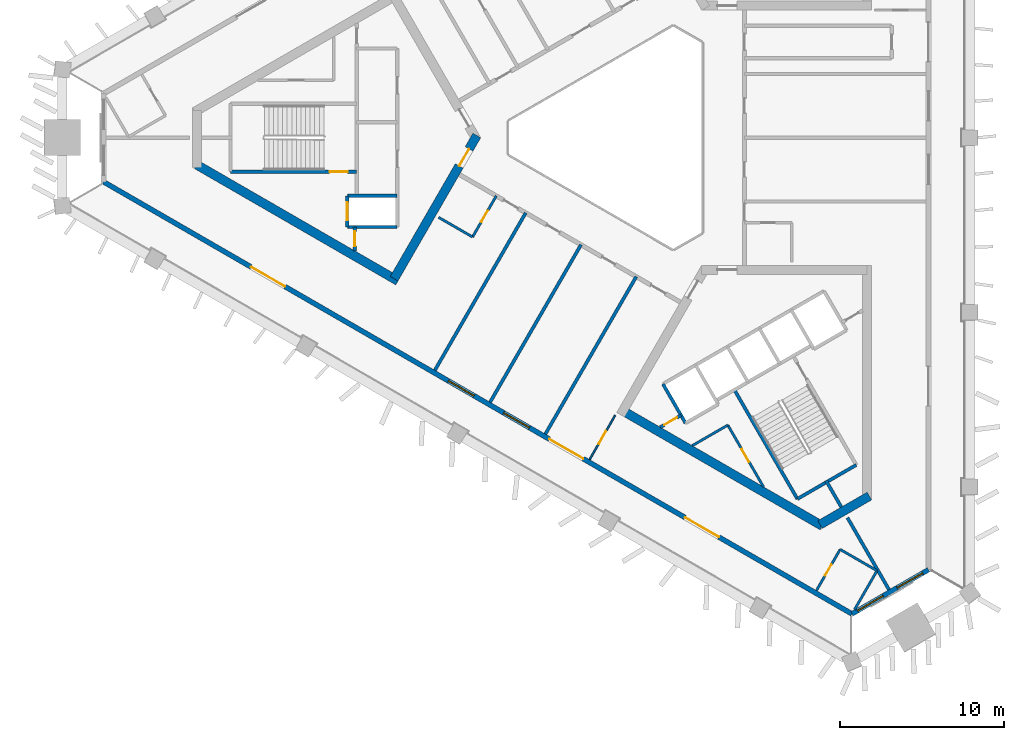
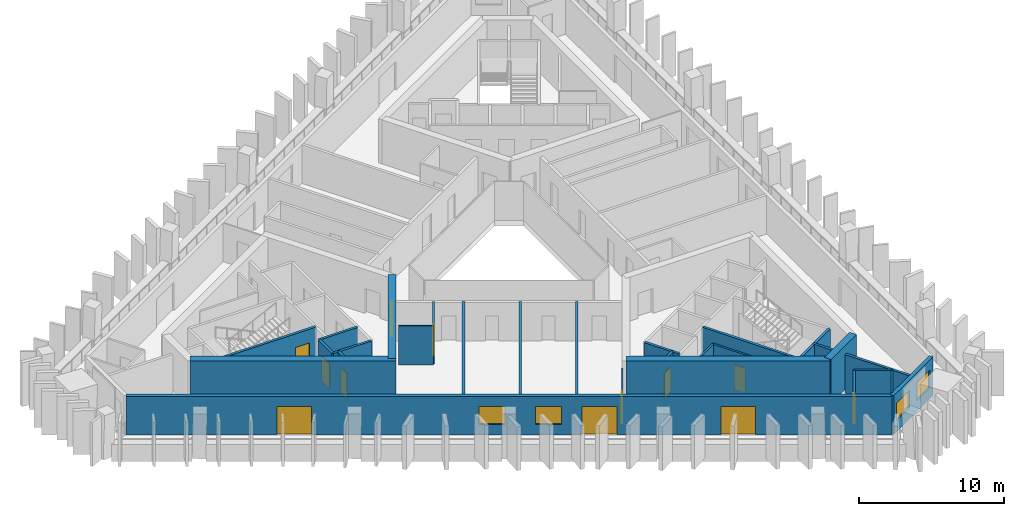
# One storey, part 2 of 9: 28 walls, 12 doors, 4 windows, 16 openings.
"""IFC4 building model written with IfcOpenShell, lengths in metres."""

from ifc_helpers import new_model, si_unit, direction, frame, frame_2d, origin, place, context, subcontext, project, spatial, rectangle, extrude, material, layer, layer_set, type_object, element, fill, save


model = new_model("IFC4")

# Units and contexts
model_context = context("Model", 3, precision=1e-05, world=origin(), true_north=direction((0.0, 1.0)))
body_context = subcontext(model_context, "Body", "Model", "MODEL_VIEW")
ifc_project = project(units=[si_unit("LENGTHUNIT", "METRE"), si_unit("AREAUNIT", "SQUARE_METRE"), si_unit("VOLUMEUNIT", "CUBIC_METRE"), si_unit("PLANEANGLEUNIT", "RADIAN"), si_unit("MASSUNIT", "GRAM", prefix="KILO")], contexts=[model_context])

# Site, building, storey
site_placement = place(None, origin())
site = spatial("IfcSite", under=ifc_project, at=site_placement, CompositionType="ELEMENT")
building_placement = place(site_placement, origin())
building = spatial("IfcBuilding", under=site, at=building_placement, Name="Jabali Bay Hotel Tower and Convention Centre", CompositionType="ELEMENT")
storey_placement = place(building_placement, frame((0.0, 0.0, 185.89990234375)))
storey = spatial("IfcBuildingStorey", under=building, at=storey_placement, Name="L45", CompositionType="ELEMENT", Elevation=185.89990234375)

# Wall, opening, door
ifc_material_1 = material(Name="Concrete C40", Category="concrete")
ifc_layer_1 = layer(ifc_material_1, 0.199951171875)
ifc_layer_set_1 = layer_set([ifc_layer_1], Name="Concrete C40")
wall_type_1 = type_object("IfcWallType", Name="Core partition wall 200", PredefinedType="PARTITIONING", material=ifc_layer_set_1)
wall_1_placement = place(storey_placement, frame((58.300048828125, 74.550048828125, 0.0), z_axis=(0.0, 0.0, 1.0), x_axis=(0.0, -1.0, 0.0)))
wall_1 = element("IfcWall", 1, at=wall_1_placement, inside=storey, type_object=wall_type_1, Name="Core wall 0.10 L45", PredefinedType="PARTITIONING", context=body_context, shape_type="SweptSolid", body=[
    extrude(rectangle(XDim=1.455078125, YDim=0.199951171875, at=frame_2d((0.7275390625, 0.0))), origin(), (0.0, 0.0, 1.0), 3.25),
])
opening_1_placement = place(wall_1_placement, frame((0.277587890625, 0.0, 0.0)))
opening_1 = element("IfcOpeningElement", 2, at=opening_1_placement, cuts=wall_1, Name="Opening D972", PredefinedType="OPENING", context=body_context, shape_type="SweptSolid", body=[
    extrude(rectangle(XDim=0.89990234375, YDim=2.10009765625, at=frame_2d((0.449951171875, 1.050048828125))), frame((0.0, 0.1103515625, 0.0), z_axis=(0.0, -1.0, 0.0), x_axis=(1.0, 0.0, 0.0)), (0.0, 0.0, 1.0), 0.220947265625),
])
ifc_material_2 = material(Name="Fire-rated steel door", Category="steel")
door_type_1 = type_object("IfcDoorType", Name="Vestibule fire door 900 x 2100", OperationType="NOTDEFINED", PredefinedType="NOTDEFINED", material=ifc_material_2)
door_1_placement = place(opening_1_placement, origin())
door_1 = element("IfcDoor", 3, at=door_1_placement, inside=storey, type_object=door_type_1, Name="Vestibule fire door D972", OperationType="SINGLE_SWING_LEFT", OverallHeight=2.10009765625, OverallWidth=0.89990234375, PredefinedType="NOTDEFINED", context=body_context, shape_type="SweptSolid", body=[
    extrude(rectangle(XDim=0.89990234375, YDim=2.10009765625, at=frame_2d((0.449951171875, 1.050048828125))), frame((0.0, 0.02490234375, 0.0), z_axis=(0.0, -1.0, 0.0), x_axis=(1.0, 0.0, 0.0)), (0.0, 0.0, 1.0), 0.050048828125),
])
fill(opening_1, door_1)

# Wall
wall_2_placement = place(storey_placement, frame((87.090087890625, 59.0595703125, 0.0), z_axis=(0.0, 0.0, 1.0), x_axis=(0.499951854219, -0.86605319898, 0.0)))
element("IfcWall", 4, at=wall_2_placement, inside=storey, type_object=wall_type_1, Name="Core wall 2.5 L45", PredefinedType="PARTITIONING", context=body_context, shape_type="SweptSolid", body=[
    extrude(rectangle(XDim=1.873291015625, YDim=0.199951171875, at=frame_2d((0.9365234375, 0.0))), origin(), (0.0, 0.0, 1.0), 3.25),
])

# Wall, opening, door
wall_3_placement = place(storey_placement, frame((76.969970703125, 62.315673828125, 0.0), z_axis=(0.0, 0.0, 1.0), x_axis=(0.865982457891, 0.500074377092, 0.0)))
wall_3 = element("IfcWall", 5, at=wall_3_placement, inside=storey, type_object=wall_type_1, Name="Core wall 2.11 L45", PredefinedType="PARTITIONING", context=body_context, shape_type="SweptSolid", body=[
    extrude(rectangle(XDim=1.461181640625, YDim=0.199951171875, at=frame_2d((0.73046875, 0.0))), origin(), (0.0, 0.0, 1.0), 3.25),
])
opening_2_placement = place(wall_3_placement, frame((0.280517578125, 0.0, 0.0)))
opening_2 = element("IfcOpeningElement", 6, at=opening_2_placement, cuts=wall_3, Name="Opening D985", PredefinedType="OPENING", context=body_context, shape_type="SweptSolid", body=[
    extrude(rectangle(XDim=0.89990234375, YDim=2.10009765625, at=frame_2d((0.449951171875, 1.050048828125))), frame((0.0, 0.1103515625, 0.0), z_axis=(0.0, -1.0, 0.0), x_axis=(1.0, 0.0, 0.0)), (0.0, 0.0, 1.0), 0.220947265625),
])
door_2_placement = place(opening_2_placement, origin())
door_2 = element("IfcDoor", 7, at=door_2_placement, inside=storey, type_object=door_type_1, Name="Vestibule fire door D985", OperationType="SINGLE_SWING_LEFT", OverallHeight=2.10009765625, OverallWidth=0.89990234375, PredefinedType="NOTDEFINED", context=body_context, shape_type="SweptSolid", body=[
    extrude(rectangle(XDim=0.89990234375, YDim=2.10009765625, at=frame_2d((0.449951171875, 1.050048828125))), frame((0.0, 0.02490234375, 0.0), z_axis=(0.0, -1.0, 0.0), x_axis=(1.0, 0.0, 0.0)), (0.0, 0.0, 1.0), 0.050048828125),
])
fill(opening_2, door_2)

ifc_material_3 = material(Name="Fire-rated board partition")
ifc_layer_2 = layer(ifc_material_3, 0.14990234375)
ifc_layer_set_2 = layer_set([ifc_layer_2], Name="Fire-rated board partition")
wall_type_2 = type_object("IfcWallType", Name="Core room partition 150", PredefinedType="PARTITIONING", material=ifc_layer_set_2)
wall_4_placement = place(storey_placement, frame((81.093994140625, 62.445068359375, 0.0), z_axis=(0.0, 0.0, 1.0), x_axis=(0.499980071345, -0.866036909293, 0.0)))
wall_4 = element("IfcWall", 8, at=wall_4_placement, inside=storey, type_object=wall_type_2, Name="Core wall 2.1 L45", PredefinedType="PARTITIONING", context=body_context, shape_type="SweptSolid", body=[
    extrude(rectangle(XDim=4.347900390625, YDim=0.14990234375, at=frame_2d((2.173828125, 0.0))), origin(), (0.0, 0.0, 1.0), 3.25),
])
opening_3_placement = place(wall_4_placement, frame((1.696533203125, 0.0, 0.0)))
opening_3 = element("IfcOpeningElement", 9, at=opening_3_placement, cuts=wall_4, Name="Opening D987", PredefinedType="OPENING", context=body_context, shape_type="SweptSolid", body=[
    extrude(rectangle(XDim=0.89990234375, YDim=2.10009765625, at=frame_2d((0.449951171875, 1.050048828125))), frame((0.0, 0.08544921875, 0.0), z_axis=(0.0, -1.0, 0.0), x_axis=(1.0, 0.0, 0.0)), (0.0, 0.0, 1.0), 0.1708984375),
])
door_type_2 = type_object("IfcDoorType", Name="Core room door 900 x 2100", OperationType="NOTDEFINED", PredefinedType="NOTDEFINED", material=ifc_material_2)
door_3_placement = place(opening_3_placement, origin())
door_3 = element("IfcDoor", 10, at=door_3_placement, inside=storey, type_object=door_type_2, Name="Core room door D987", OperationType="SINGLE_SWING_LEFT", OverallHeight=2.10009765625, OverallWidth=0.89990234375, PredefinedType="NOTDEFINED", context=body_context, shape_type="SweptSolid", body=[
    extrude(rectangle(XDim=0.89990234375, YDim=2.10009765625, at=frame_2d((0.449951171875, 1.050048828125))), frame((0.0, 0.02490234375, 0.0), z_axis=(0.0, -1.0, 0.0), x_axis=(1.0, 0.0, 0.0)), (0.0, 0.0, 1.0), 0.050048828125),
])
fill(opening_3, door_3)

# Wall
wall_5_placement = place(storey_placement, frame((78.919921875, 61.18994140625, 0.0), z_axis=(0.0, 0.0, 1.0), x_axis=(0.866038211682, 0.499977815414, 0.0)))
element("IfcWall", 11, at=wall_5_placement, inside=storey, type_object=wall_type_2, Name="Core wall 2.16 L45", PredefinedType="PARTITIONING", context=body_context, shape_type="SweptSolid", body=[
    extrude(rectangle(XDim=2.51025390625, YDim=0.14990234375, at=frame_2d((1.255126953125, 0.0))), origin(), (0.0, 0.0, 1.0), 3.25),
])

# Wall, opening, door
ifc_layer_3 = layer(ifc_material_1, 0.199951171875)
ifc_layer_set_3 = layer_set([ifc_layer_3], Name="Concrete C40")
wall_type_3 = type_object("IfcWallType", Name="Core stair wall 200", PredefinedType="SOLIDWALL", material=ifc_layer_set_3)
wall_6_placement = place(storey_placement, frame((58.419921875, 77.925048828125, 0.0), z_axis=(0.0, 0.0, 1.0), x_axis=(-1.0, 0.0, 0.0)))
wall_6 = element("IfcWall", 12, at=wall_6_placement, inside=storey, type_object=wall_type_3, Name="Core wall 0.5 L45", PredefinedType="SOLIDWALL", context=body_context, shape_type="SweptSolid", body=[
    extrude(rectangle(XDim=7.699951171875, YDim=0.199951171875, at=frame_2d((3.85009765625, 0.0))), origin(), (0.0, 0.0, 1.0), 3.25),
])
opening_4_placement = place(wall_6_placement, frame((0.550048828125, 0.0, 0.0)))
opening_4 = element("IfcOpeningElement", 13, at=opening_4_placement, cuts=wall_6, Name="Opening D974", PredefinedType="OPENING", context=body_context, shape_type="SweptSolid", body=[
    extrude(rectangle(XDim=1.10009765625, YDim=2.10009765625, at=frame_2d((0.550048828125, 1.050048828125))), frame((0.0, 0.1103515625, 0.0), z_axis=(0.0, -1.0, 0.0), x_axis=(1.0, 0.0, 0.0)), (0.0, 0.0, 1.0), 0.220947265625),
])
door_type_3 = type_object("IfcDoorType", Name="Stair fire door 1100 x 2100", OperationType="NOTDEFINED", PredefinedType="NOTDEFINED", material=ifc_material_2)
door_4_placement = place(opening_4_placement, origin())
door_4 = element("IfcDoor", 14, at=door_4_placement, inside=storey, type_object=door_type_3, Name="Stair fire door D974", OperationType="SINGLE_SWING_RIGHT", OverallHeight=2.10009765625, OverallWidth=1.10009765625, PredefinedType="NOTDEFINED", context=body_context, shape_type="SweptSolid", body=[
    extrude(rectangle(XDim=1.10009765625, YDim=2.10009765625, at=frame_2d((0.550048828125, 1.050048828125))), frame((0.0, 0.02490234375, 0.0), z_axis=(0.0, -1.0, 0.0), x_axis=(1.0, 0.0, 0.0)), (0.0, 0.0, 1.0), 0.050048828125),
])
fill(opening_4, door_4)

# Walls
for number, where, z_axis, x_axis, name in (
    (15, (60.89990234375, 76.449951171875, 0.0), (0.0, 0.0, 1.0), (-1.0, 0.0, 0.0), "Core wall 0.6 L45"),
    (16, (60.89990234375, 74.550048828125, 0.0), (0.0, 0.0, 1.0), (-1.0, 0.0, 0.0), "Core wall 0.7 L45"),
):
    element("IfcWall", number, at=place(storey_placement, frame(where, z_axis=z_axis, x_axis=x_axis)), inside=storey, type_object=wall_type_3, Name=name, PredefinedType="SOLIDWALL", context=body_context, shape_type="SweptSolid", body=[
        extrude(rectangle(XDim=3.0498046875, YDim=0.199951171875, at=frame_2d((1.52490234375, 0.0))), origin(), (0.0, 0.0, 1.0), 3.25),
    ])

# Wall, opening, door
wall_7_placement = place(storey_placement, frame((57.85009765625, 76.449951171875, 0.0), z_axis=(0.0, 0.0, 1.0), x_axis=(0.0, -1.0, 0.0)))
wall_7 = element("IfcWall", 17, at=wall_7_placement, inside=storey, type_object=wall_type_3, Name="Core wall 0.11 L45", PredefinedType="SOLIDWALL", context=body_context, shape_type="SweptSolid", body=[
    extrude(rectangle(XDim=1.89990234375, YDim=0.199951171875, at=frame_2d((0.949951171875, 0.0))), origin(), (0.0, 0.0, 1.0), 3.25),
])
opening_5_placement = place(wall_7_placement, frame((0.39990234375, 0.0, 0.0)))
opening_5 = element("IfcOpeningElement", 18, at=opening_5_placement, cuts=wall_7, Name="Opening LD5-L45", PredefinedType="OPENING", context=body_context, shape_type="SweptSolid", body=[
    extrude(rectangle(XDim=1.10009765625, YDim=2.10009765625, at=frame_2d((0.550048828125, 1.050048828125))), frame((0.0, 0.1103515625, 0.0), z_axis=(0.0, -1.0, 0.0), x_axis=(1.0, 0.0, 0.0)), (0.0, 0.0, 1.0), 0.220947265625),
])
ifc_material_4 = material(Name="Stainless steel landing door", Category="steel")
door_type_4 = type_object("IfcDoorType", Name="Landing door 1100 x 2100", OperationType="NOTDEFINED", PredefinedType="NOTDEFINED", material=ifc_material_4)
door_5_placement = place(opening_5_placement, origin())
door_5 = element("IfcDoor", 19, at=door_5_placement, inside=storey, type_object=door_type_4, Name="Landing doors LD5-L45", OperationType="SLIDING_TO_RIGHT", OverallHeight=2.10009765625, OverallWidth=1.10009765625, PredefinedType="NOTDEFINED", context=body_context, shape_type="SweptSolid", body=[
    extrude(rectangle(XDim=1.10009765625, YDim=2.10009765625, at=frame_2d((0.550048828125, 1.050048828125))), frame((0.0, 0.02490234375, 0.0), z_axis=(0.0, -1.0, 0.0), x_axis=(1.0, 0.0, 0.0)), (0.0, 0.0, 1.0), 0.050048828125),
])
fill(opening_5, door_5)

# Walls
wall_8_placement = place(storey_placement, frame((77.13525390625, 64.95166015625, 0.0), z_axis=(0.0, 0.0, 1.0), x_axis=(0.499996545922, -0.866027397988, 0.0)))
element("IfcWall", 20, at=wall_8_placement, inside=storey, type_object=wall_type_3, Name="Core wall 2.0 L45", PredefinedType="SOLIDWALL", context=body_context, shape_type="SweptSolid", body=[
    extrude(rectangle(XDim=2.75, YDim=0.199951171875, at=frame_2d((1.375, 0.0))), origin(), (0.0, 0.0, 1.0), 3.25),
])
wall_9_placement = place(storey_placement, frame((81.492919921875, 64.603759765625, 0.0), z_axis=(0.0, 0.0, 1.0), x_axis=(0.500006057782, -0.866021906294, 0.0)))
element("IfcWall", 21, at=wall_9_placement, inside=storey, type_object=wall_type_3, Name="Core wall 2.3 L45", PredefinedType="SOLIDWALL", context=body_context, shape_type="SweptSolid", body=[
    extrude(rectangle(XDim=7.7001953125, YDim=0.199951171875, at=frame_2d((3.85009765625, 0.0))), origin(), (0.0, 0.0, 1.0), 3.25),
])
wall_10_placement = place(storey_placement, frame((85.343017578125, 57.935302734375, 0.0), z_axis=(0.0, 0.0, 1.0), x_axis=(0.866004344652, 0.500036473714, 0.0)))
element("IfcWall", 22, at=wall_10_placement, inside=storey, type_object=wall_type_3, Name="Core wall 2.17 L45", PredefinedType="SOLIDWALL", context=body_context, shape_type="SweptSolid", body=[
    extrude(rectangle(XDim=4.150146484375, YDim=0.199951171875, at=frame_2d((2.0751953125, 0.0))), origin(), (0.0, 0.0, 1.0), 3.25),
])
ifc_material_5 = material(Name="Concrete C60", Category="concrete")
ifc_layer_4 = layer(ifc_material_5, 0.550048828125)
ifc_layer_set_4 = layer_set([ifc_layer_4], Name="Concrete C60")
wall_type_4 = type_object("IfcWallType", Name="Core wall 550", PredefinedType="SHEAR", material=ifc_layer_set_4)
wall_11_placement = place(storey_placement, frame((48.671875, 78.336181640625, 0.0), z_axis=(0.0, 0.0, 1.0), x_axis=(0.866023530946, -0.500003243837, 0.0)))
element("IfcWall", 23, at=wall_11_placement, inside=storey, type_object=wall_type_4, Name="Core wall 1.4 L45", PredefinedType="SHEAR", context=body_context, shape_type="SweptSolid", body=[
    extrude(rectangle(XDim=14.1748046875, YDim=0.550048828125, at=frame_2d((7.08740234375, 0.0))), origin(), (0.0, 0.0, 1.0), 3.7001953125),
])

# Wall, opening, door
wall_12_placement = place(storey_placement, frame((60.709228515625, 71.38623046875, 0.0), z_axis=(0.0, 0.0, 1.0), x_axis=(0.500015938302, 0.866016201606, 0.0)))
wall_12 = element("IfcWall", 24, at=wall_12_placement, inside=storey, type_object=wall_type_4, Name="Core wall 1.5 L45", PredefinedType="SHEAR", context=body_context, shape_type="SweptSolid", body=[
    extrude(rectangle(XDim=10.105224609375, YDim=0.550048828125, at=frame_2d((5.052734375, 0.0))), origin(), (0.0, 0.0, 1.0), 3.7001953125),
])
opening_6_placement = place(wall_12_placement, frame((7.955078125, 0.0, 0.0)))
opening_6 = element("IfcOpeningElement", 25, at=opening_6_placement, cuts=wall_12, Name="Opening D969", PredefinedType="OPENING", context=body_context, shape_type="SweptSolid", body=[
    extrude(rectangle(XDim=1.199951171875, YDim=2.10009765625, at=frame_2d((0.60009765625, 1.050048828125))), frame((0.0, 0.28564453125, 0.0), z_axis=(0.0, -1.0, 0.0), x_axis=(1.0, 0.0, 0.0)), (0.0, 0.0, 1.0), 0.571044921875),
])
door_type_5 = type_object("IfcDoorType", Name="Corridor end fire door 1200 x 2100", OperationType="NOTDEFINED", PredefinedType="NOTDEFINED", material=ifc_material_2)
door_6_placement = place(opening_6_placement, origin())
door_6 = element("IfcDoor", 26, at=door_6_placement, inside=storey, type_object=door_type_5, Name="Corridor end fire door D969", OperationType="SINGLE_SWING_LEFT", OverallHeight=2.10009765625, OverallWidth=1.199951171875, PredefinedType="NOTDEFINED", context=body_context, shape_type="SweptSolid", body=[
    extrude(rectangle(XDim=1.199951171875, YDim=2.10009765625, at=frame_2d((0.60009765625, 1.050048828125))), frame((0.0, 0.02490234375, 0.0), z_axis=(0.0, -1.0, 0.0), x_axis=(1.0, 0.0, 0.0)), (0.0, 0.0, 1.0), 0.050048828125),
])
fill(opening_6, door_6)

# Walls
wall_13_placement = place(storey_placement, frame((74.685546875, 63.317138671875, 0.0), z_axis=(0.0, 0.0, 1.0), x_axis=(0.866024505738, -0.500001555459, 0.0)))
element("IfcWall", 27, at=wall_13_placement, inside=storey, type_object=wall_type_4, Name="Core wall 3.2 L45", PredefinedType="SHEAR", context=body_context, shape_type="SweptSolid", body=[
    extrude(rectangle(XDim=14.05859375, YDim=0.550048828125, at=frame_2d((7.029296875, 0.0))), origin(), (0.0, 0.0, 1.0), 3.7001953125),
])
wall_14_placement = place(storey_placement, frame((86.72314453125, 56.3671875, 0.0), z_axis=(0.0, 0.0, 1.0), x_axis=(0.865997833373, 0.500047750313, 0.0)))
element("IfcWall", 28, at=wall_14_placement, inside=storey, type_object=wall_type_4, Name="Core wall 3.3 L45", PredefinedType="SHEAR", context=body_context, shape_type="SweptSolid", body=[
    extrude(rectangle(XDim=3.486572265625, YDim=0.550048828125, at=frame_2d((1.7431640625, 0.0))), origin(), (0.0, 0.0, 1.0), 3.7001953125),
])

# Wall, openings, windows
ifc_layer_5 = layer(ifc_material_1, 0.300048828125)
ifc_layer_set_5 = layer_set([ifc_layer_5], Name="Concrete C40")
wall_type_5 = type_object("IfcWallType", Name="External wall 300", PredefinedType="SOLIDWALL", material=ifc_layer_set_5)
wall_15_placement = place(storey_placement, frame((93.3525390625, 53.61181640625, 0.0), z_axis=(0.0, 0.0, 1.0), x_axis=(-0.866025202232, -0.500000349099, 0.0)))
wall_15 = element("IfcWall", 29, at=wall_15_placement, inside=storey, type_object=wall_type_5, Name="External wall south-east chamfer L45", PredefinedType="SOLIDWALL", context=body_context, shape_type="SweptSolid", body=[
    extrude(rectangle(XDim=5.3994140625, YDim=0.300048828125, at=frame_2d((2.69970703125, 0.0))), origin(), (0.0, 0.0, 1.0), 3.25),
])
opening_7_placement = place(wall_15_placement, frame((3.208984375, 0.0, 0.89990234375)))
opening_7 = element("IfcOpeningElement", 30, at=opening_7_placement, cuts=wall_15, Name="Opening W1", PredefinedType="OPENING", context=body_context, shape_type="SweptSolid", body=[
    extrude(rectangle(XDim=1.800048828125, YDim=1.5, at=frame_2d((0.89990234375, 0.75))), frame((0.0, 0.16064453125, 0.0), z_axis=(0.0, -1.0, 0.0), x_axis=(1.0, 0.0, 0.0)), (0.0, 0.0, 1.0), 0.321044921875),
])
opening_8_placement = place(wall_15_placement, frame((0.406982421875, 0.0, 0.89990234375)))
opening_8 = element("IfcOpeningElement", 31, at=opening_8_placement, cuts=wall_15, Name="Opening W1", PredefinedType="OPENING", context=body_context, shape_type="SweptSolid", body=[
    extrude(rectangle(XDim=1.800048828125, YDim=1.5, at=frame_2d((0.89990234375, 0.75))), frame((0.0, 0.16064453125, 0.0), z_axis=(0.0, -1.0, 0.0), x_axis=(1.0, 0.0, 0.0)), (0.0, 0.0, 1.0), 0.321044921875),
])
ifc_material_6 = material(Name="Glass", Category="glass")
window_type = type_object("IfcWindowType", Name="Window 1800 x 1500", PartitioningType="SINGLE_PANEL", PredefinedType="WINDOW", material=ifc_material_6)
window_1_placement = place(opening_7_placement, origin())
window_1 = element("IfcWindow", 32, at=window_1_placement, inside=storey, type_object=window_type, Name="Window 4512", OverallHeight=1.5, OverallWidth=1.800048828125, PartitioningType="SINGLE_PANEL", PredefinedType="WINDOW", context=body_context, shape_type="SweptSolid", body=[
    extrude(rectangle(XDim=1.800048828125, YDim=1.5, at=frame_2d((0.89990234375, 0.75))), frame((0.0, 0.030029296875, 0.0), z_axis=(0.0, -1.0, 0.0), x_axis=(1.0, 0.0, 0.0)), (0.0, 0.0, 1.0), 0.06005859375),
])
fill(opening_7, window_1)
window_2_placement = place(opening_8_placement, origin())
window_2 = element("IfcWindow", 33, at=window_2_placement, inside=storey, type_object=window_type, Name="Window 4501", OverallHeight=1.5, OverallWidth=1.800048828125, PartitioningType="SINGLE_PANEL", PredefinedType="WINDOW", context=body_context, shape_type="SweptSolid", body=[
    extrude(rectangle(XDim=1.800048828125, YDim=1.5, at=frame_2d((0.89990234375, 0.75))), frame((0.0, 0.030029296875, 0.0), z_axis=(0.0, -1.0, 0.0), x_axis=(1.0, 0.0, 0.0)), (0.0, 0.0, 1.0), 0.06005859375),
])
fill(opening_8, window_2)

# Wall, openings, doors, windows
wall_16_placement = place(storey_placement, frame((88.676513671875, 50.912109375, 0.0), z_axis=(0.0, 0.0, 1.0), x_axis=(-0.866024890781, 0.500000888547, 0.0)))
wall_16 = element("IfcWall", 34, at=wall_16_placement, inside=storey, type_object=wall_type_5, Name="External wall south-west face L45", PredefinedType="SOLIDWALL", context=body_context, shape_type="SweptSolid", body=[
    extrude(rectangle(XDim=52.7763671875, YDim=0.300048828125, at=frame_2d((26.38818359375, 0.0))), origin(), (0.0, 0.0, 1.0), 3.25),
])
opening_9_placement = place(wall_16_placement, frame((18.95263671875, 0.0, 0.0)))
opening_9 = element("IfcOpeningElement", 35, at=opening_9_placement, cuts=wall_16, Name="Opening SD1", PredefinedType="OPENING", context=body_context, shape_type="SweptSolid", body=[
    extrude(rectangle(XDim=2.39990234375, YDim=2.39990234375, at=frame_2d((1.199951171875, 1.199951171875))), frame((0.0, 0.16064453125, 0.0), z_axis=(0.0, -1.0, 0.0), x_axis=(1.0, 0.0, 0.0)), (0.0, 0.0, 1.0), 0.321044921875),
])
opening_10_placement = place(wall_16_placement, frame((9.384765625, 0.0, 0.0)))
opening_10 = element("IfcOpeningElement", 36, at=opening_10_placement, cuts=wall_16, Name="Opening SD1", PredefinedType="OPENING", context=body_context, shape_type="SweptSolid", body=[
    extrude(rectangle(XDim=2.39990234375, YDim=2.39990234375, at=frame_2d((1.199951171875, 1.199951171875))), frame((0.0, 0.16064453125, 0.0), z_axis=(0.0, -1.0, 0.0), x_axis=(1.0, 0.0, 0.0)), (0.0, 0.0, 1.0), 0.321044921875),
])
opening_11_placement = place(wall_16_placement, frame((39.984375, 0.0, 0.0)))
opening_11 = element("IfcOpeningElement", 37, at=opening_11_placement, cuts=wall_16, Name="Opening SD1", PredefinedType="OPENING", context=body_context, shape_type="SweptSolid", body=[
    extrude(rectangle(XDim=2.39990234375, YDim=2.39990234375, at=frame_2d((1.199951171875, 1.199951171875))), frame((0.0, 0.16064453125, 0.0), z_axis=(0.0, -1.0, 0.0), x_axis=(1.0, 0.0, 0.0)), (0.0, 0.0, 1.0), 0.321044921875),
])
opening_12_placement = place(wall_16_placement, frame((26.6572265625, 0.0, 0.89990234375)))
opening_12 = element("IfcOpeningElement", 38, at=opening_12_placement, cuts=wall_16, Name="Opening W1", PredefinedType="OPENING", context=body_context, shape_type="SweptSolid", body=[
    extrude(rectangle(XDim=1.800048828125, YDim=1.5, at=frame_2d((0.89990234375, 0.75))), frame((0.0, 0.16064453125, 0.0), z_axis=(0.0, -1.0, 0.0), x_axis=(1.0, 0.0, 0.0)), (0.0, 0.0, 1.0), 0.321044921875),
])
opening_13_placement = place(wall_16_placement, frame((22.760009765625, 0.0, 0.89990234375)))
opening_13 = element("IfcOpeningElement", 39, at=opening_13_placement, cuts=wall_16, Name="Opening W1", PredefinedType="OPENING", context=body_context, shape_type="SweptSolid", body=[
    extrude(rectangle(XDim=1.800048828125, YDim=1.5, at=frame_2d((0.89990234375, 0.75))), frame((0.0, 0.16064453125, 0.0), z_axis=(0.0, -1.0, 0.0), x_axis=(1.0, 0.0, 0.0)), (0.0, 0.0, 1.0), 0.321044921875),
])
door_type_6 = type_object("IfcDoorType", Name="Loggia sliding door 2400 x 2400", OperationType="NOTDEFINED", PredefinedType="NOTDEFINED", material=ifc_material_6)
door_7_placement = place(opening_9_placement, origin())
door_7 = element("IfcDoor", 40, at=door_7_placement, inside=storey, type_object=door_type_6, Name="Loggia sliding door 4512", OperationType="SLIDING_TO_LEFT", OverallHeight=2.39990234375, OverallWidth=2.39990234375, PredefinedType="NOTDEFINED", context=body_context, shape_type="SweptSolid", body=[
    extrude(rectangle(XDim=2.39990234375, YDim=2.39990234375, at=frame_2d((1.199951171875, 1.199951171875))), frame((0.0, 0.02490234375, 0.0), z_axis=(0.0, -1.0, 0.0), x_axis=(1.0, 0.0, 0.0)), (0.0, 0.0, 1.0), 0.050048828125),
])
fill(opening_9, door_7)
door_8_placement = place(opening_10_placement, origin())
door_8 = element("IfcDoor", 41, at=door_8_placement, inside=storey, type_object=door_type_6, Name="Loggia sliding door 4512", OperationType="SLIDING_TO_RIGHT", OverallHeight=2.39990234375, OverallWidth=2.39990234375, PredefinedType="NOTDEFINED", context=body_context, shape_type="SweptSolid", body=[
    extrude(rectangle(XDim=2.39990234375, YDim=2.39990234375, at=frame_2d((1.199951171875, 1.199951171875))), frame((0.0, 0.02490234375, 0.0), z_axis=(0.0, -1.0, 0.0), x_axis=(1.0, 0.0, 0.0)), (0.0, 0.0, 1.0), 0.050048828125),
])
fill(opening_10, door_8)
door_9_placement = place(opening_11_placement, origin())
door_9 = element("IfcDoor", 42, at=door_9_placement, inside=storey, type_object=door_type_6, Name="Loggia sliding door 4509", OperationType="SLIDING_TO_LEFT", OverallHeight=2.39990234375, OverallWidth=2.39990234375, PredefinedType="NOTDEFINED", context=body_context, shape_type="SweptSolid", body=[
    extrude(rectangle(XDim=2.39990234375, YDim=2.39990234375, at=frame_2d((1.199951171875, 1.199951171875))), frame((0.0, 0.02490234375, 0.0), z_axis=(0.0, -1.0, 0.0), x_axis=(1.0, 0.0, 0.0)), (0.0, 0.0, 1.0), 0.050048828125),
])
fill(opening_11, door_9)
window_3_placement = place(opening_12_placement, origin())
window_3 = element("IfcWindow", 43, at=window_3_placement, inside=storey, type_object=window_type, Name="Window 4510", OverallHeight=1.5, OverallWidth=1.800048828125, PartitioningType="SINGLE_PANEL", PredefinedType="WINDOW", context=body_context, shape_type="SweptSolid", body=[
    extrude(rectangle(XDim=1.800048828125, YDim=1.5, at=frame_2d((0.89990234375, 0.75))), frame((0.0, 0.030029296875, 0.0), z_axis=(0.0, -1.0, 0.0), x_axis=(1.0, 0.0, 0.0)), (0.0, 0.0, 1.0), 0.06005859375),
])
fill(opening_12, window_3)
window_4_placement = place(opening_13_placement, origin())
window_4 = element("IfcWindow", 44, at=window_4_placement, inside=storey, type_object=window_type, Name="Window 4511", OverallHeight=1.5, OverallWidth=1.800048828125, PartitioningType="SINGLE_PANEL", PredefinedType="WINDOW", context=body_context, shape_type="SweptSolid", body=[
    extrude(rectangle(XDim=1.800048828125, YDim=1.5, at=frame_2d((0.89990234375, 0.75))), frame((0.0, 0.030029296875, 0.0), z_axis=(0.0, -1.0, 0.0), x_axis=(1.0, 0.0, 0.0)), (0.0, 0.0, 1.0), 0.06005859375),
])
fill(opening_13, window_4)

# Wall, opening, door
ifc_material_7 = material(Name="Plasterboard on steel stud", Category="steel")
ifc_layer_6 = layer(ifc_material_7, 0.10009765625)
ifc_layer_set_6 = layer_set([ifc_layer_6], Name="Plasterboard on steel stud")
wall_type_6 = type_object("IfcWallType", Name="Partition 100 unit", PredefinedType="PARTITIONING", material=ifc_layer_set_6)
wall_17_placement = place(storey_placement, frame((72.648193359375, 60.338134765625, 0.0), z_axis=(0.0, 0.0, 1.0), x_axis=(0.4999794672, 0.866037258078, 0.0)))
wall_17 = element("IfcWall", 45, at=wall_17_placement, inside=storey, type_object=wall_type_6, Name="Partition P02 L45 032", PredefinedType="PARTITIONING", context=body_context, shape_type="SweptSolid", body=[
    extrude(rectangle(XDim=3.124755859375, YDim=0.10009765625, at=frame_2d((1.5625, 0.0))), origin(), (0.0, 0.0, 1.0), 3.25),
])
opening_14_placement = place(wall_17_placement, frame((1.112060546875, 0.0, 0.0)))
opening_14 = element("IfcOpeningElement", 46, at=opening_14_placement, cuts=wall_17, Name="Opening 4521", PredefinedType="OPENING", context=body_context, shape_type="SweptSolid", body=[
    extrude(rectangle(XDim=0.89990234375, YDim=2.10009765625, at=frame_2d((0.449951171875, 1.050048828125))), frame((0.0, 0.060546875, 0.0), z_axis=(0.0, -1.0, 0.0), x_axis=(1.0, 0.0, 0.0)), (0.0, 0.0, 1.0), 0.12109375),
])
ifc_material_8 = material(Name="Timber", Category="wood")
door_type_7 = type_object("IfcDoorType", Name="Internal door 900 x 2100", OperationType="NOTDEFINED", PredefinedType="NOTDEFINED", material=ifc_material_8)
door_10_placement = place(opening_14_placement, origin())
door_10 = element("IfcDoor", 47, at=door_10_placement, inside=storey, type_object=door_type_7, Name="Door 4521", OperationType="SINGLE_SWING_LEFT", OverallHeight=2.10009765625, OverallWidth=0.89990234375, PredefinedType="NOTDEFINED", context=body_context, shape_type="SweptSolid", body=[
    extrude(rectangle(XDim=0.89990234375, YDim=2.10009765625, at=frame_2d((0.449951171875, 1.050048828125))), frame((0.0, 0.02490234375, 0.0), z_axis=(0.0, -1.0, 0.0), x_axis=(1.0, 0.0, 0.0)), (0.0, 0.0, 1.0), 0.050048828125),
])
fill(opening_14, door_10)

ifc_layer_7 = layer(ifc_material_7, 0.14990234375)
ifc_layer_set_7 = layer_set([ifc_layer_7], Name="Plasterboard on steel stud")
wall_type_7 = type_object("IfcWallType", Name="Partition 150 wet", PredefinedType="PARTITIONING", material=ifc_layer_set_7)
wall_18_placement = place(storey_placement, frame((66.95166015625, 76.4482421875, 0.0), z_axis=(0.0, 0.0, 1.0), x_axis=(-0.499987231761, -0.866032775405, 0.0)))
wall_18 = element("IfcWall", 48, at=wall_18_placement, inside=storey, type_object=wall_type_7, Name="Partition P03 L45 027", PredefinedType="PARTITIONING", context=body_context, shape_type="SweptSolid", body=[
    extrude(rectangle(XDim=2.89990234375, YDim=0.14990234375, at=frame_2d((1.449951171875, 0.0))), origin(), (0.0, 0.0, 1.0), 3.25),
])
opening_15_placement = place(wall_18_placement, frame((1.050048828125, 0.0, 0.0)))
opening_15 = element("IfcOpeningElement", 49, at=opening_15_placement, cuts=wall_18, Name="Opening 4516", PredefinedType="OPENING", context=body_context, shape_type="SweptSolid", body=[
    extrude(rectangle(XDim=0.800048828125, YDim=2.10009765625, at=frame_2d((0.39990234375, 1.050048828125))), frame((0.0, 0.08544921875, 0.0), z_axis=(0.0, -1.0, 0.0), x_axis=(1.0, 0.0, 0.0)), (0.0, 0.0, 1.0), 0.1708984375),
])
door_type_8 = type_object("IfcDoorType", Name="En-suite door 800 x 2100", OperationType="NOTDEFINED", PredefinedType="NOTDEFINED", material=ifc_material_8)
door_11_placement = place(opening_15_placement, origin())
door_11 = element("IfcDoor", 50, at=door_11_placement, inside=storey, type_object=door_type_8, Name="Door 4516", OperationType="SINGLE_SWING_RIGHT", OverallHeight=2.10009765625, OverallWidth=0.800048828125, PredefinedType="NOTDEFINED", context=body_context, shape_type="SweptSolid", body=[
    extrude(rectangle(XDim=0.800048828125, YDim=2.10009765625, at=frame_2d((0.39990234375, 1.050048828125))), frame((0.0, 0.02490234375, 0.0), z_axis=(0.0, -1.0, 0.0), x_axis=(1.0, 0.0, 0.0)), (0.0, 0.0, 1.0), 0.050048828125),
])
fill(opening_15, door_11)

# Wall
wall_19_placement = place(storey_placement, frame((65.501708984375, 73.936767578125, 0.0), z_axis=(0.0, 0.0, 1.0), x_axis=(-0.865994240961, 0.500053971709, 0.0)))
element("IfcWall", 51, at=wall_19_placement, inside=storey, type_object=wall_type_7, Name="Partition P03 L45 028", PredefinedType="PARTITIONING", context=body_context, shape_type="SweptSolid", body=[
    extrude(rectangle(XDim=2.401123046875, YDim=0.14990234375, at=frame_2d((1.20068359375, 0.0))), origin(), (0.0, 0.0, 1.0), 3.25),
])

# Wall, opening, door
wall_20_placement = place(storey_placement, frame((86.505615234375, 52.33984375, 0.0), z_axis=(0.0, 0.0, 1.0), x_axis=(0.499987231761, 0.866032775405, 0.0)))
wall_20 = element("IfcWall", 52, at=wall_20_placement, inside=storey, type_object=wall_type_7, Name="Partition P03 L45 033", PredefinedType="PARTITIONING", context=body_context, shape_type="SweptSolid", body=[
    extrude(rectangle(XDim=2.89990234375, YDim=0.14990234375, at=frame_2d((1.449951171875, 0.0))), origin(), (0.0, 0.0, 1.0), 3.25),
])
opening_16_placement = place(wall_20_placement, frame((1.050048828125, 0.0, 0.0)))
opening_16 = element("IfcOpeningElement", 53, at=opening_16_placement, cuts=wall_20, Name="Opening 4522", PredefinedType="OPENING", context=body_context, shape_type="SweptSolid", body=[
    extrude(rectangle(XDim=0.800048828125, YDim=2.10009765625, at=frame_2d((0.39990234375, 1.050048828125))), frame((0.0, 0.08544921875, 0.0), z_axis=(0.0, -1.0, 0.0), x_axis=(1.0, 0.0, 0.0)), (0.0, 0.0, 1.0), 0.1708984375),
])
door_12_placement = place(opening_16_placement, origin())
door_12 = element("IfcDoor", 54, at=door_12_placement, inside=storey, type_object=door_type_8, Name="Door 4522", OperationType="SINGLE_SWING_LEFT", OverallHeight=2.10009765625, OverallWidth=0.800048828125, PredefinedType="NOTDEFINED", context=body_context, shape_type="SweptSolid", body=[
    extrude(rectangle(XDim=0.800048828125, YDim=2.10009765625, at=frame_2d((0.39990234375, 1.050048828125))), frame((0.0, 0.02490234375, 0.0), z_axis=(0.0, -1.0, 0.0), x_axis=(1.0, 0.0, 0.0)), (0.0, 0.0, 1.0), 0.050048828125),
])
fill(opening_16, door_12)

# Walls
wall_21_placement = place(storey_placement, frame((87.95556640625, 54.851318359375, 0.0), z_axis=(0.0, 0.0, 1.0), x_axis=(0.866021400173, -0.500006934395, 0.0)))
element("IfcWall", 55, at=wall_21_placement, inside=storey, type_object=wall_type_7, Name="Partition P03 L45 034", PredefinedType="PARTITIONING", context=body_context, shape_type="SweptSolid", body=[
    extrude(rectangle(XDim=2.60009765625, YDim=0.14990234375, at=frame_2d((1.300048828125, 0.0))), origin(), (0.0, 0.0, 1.0), 3.25),
])
wall_22_placement = place(storey_placement, frame((90.207275390625, 53.55126953125, 0.0), z_axis=(0.0, 0.0, 1.0), x_axis=(-0.500007607708, -0.866021011428, 0.0)))
element("IfcWall", 56, at=wall_22_placement, inside=storey, type_object=wall_type_7, Name="Partition P03 L45 035", PredefinedType="PARTITIONING", context=body_context, shape_type="SweptSolid", body=[
    extrude(rectangle(XDim=2.7421875, YDim=0.14990234375, at=frame_2d((1.37109375, 0.0))), origin(), (0.0, 0.0, 1.0), 3.25),
])
ifc_layer_8 = layer(ifc_material_7, 0.199951171875)
ifc_layer_set_8 = layer_set([ifc_layer_8], Name="Plasterboard on steel stud")
wall_type_8 = type_object("IfcWallType", Name="Partition 200 party", PredefinedType="PARTITIONING", material=ifc_layer_set_8)
wall_23_placement = place(storey_placement, frame((88.401123046875, 56.788818359375, 0.0), z_axis=(0.0, 0.0, 1.0), x_axis=(0.499970777499, -0.866042274746, 0.0)))
element("IfcWall", 57, at=wall_23_placement, inside=storey, type_object=wall_type_8, Name="Partition P01 L45 004", PredefinedType="PARTITIONING", context=body_context, shape_type="SweptSolid", body=[
    extrude(rectangle(XDim=5.077880859375, YDim=0.199951171875, at=frame_2d((2.5390625, 0.0))), origin(), (0.0, 0.0, 1.0), 3.25),
])
for number, where, z_axis, x_axis, name in (
    (58, (63.1982421875, 65.794189453125, 0.0), (0.0, 0.0, 1.0), (0.499998432514, 0.866026308771, 0.0), "Partition P01 L45 029"),
    (59, (66.5732421875, 63.845458984375, 0.0), (0.0, 0.0, 1.0), (0.499998432514, 0.866026308771, 0.0), "Partition P01 L45 030"),
    (60, (69.9482421875, 61.89697265625, 0.0), (0.0, 0.0, 1.0), (0.499998432514, 0.866026308771, 0.0), "Partition P01 L45 031"),
):
    element("IfcWall", number, at=place(storey_placement, frame(where, z_axis=z_axis, x_axis=x_axis)), inside=storey, type_object=wall_type_8, Name=name, PredefinedType="PARTITIONING", context=body_context, shape_type="SweptSolid", body=[
        extrude(rectangle(XDim=11.103515625, YDim=0.199951171875, at=frame_2d((5.5517578125, 0.0))), origin(), (0.0, 0.0, 1.0), 3.25),
    ])

save(model, "model.ifc")
